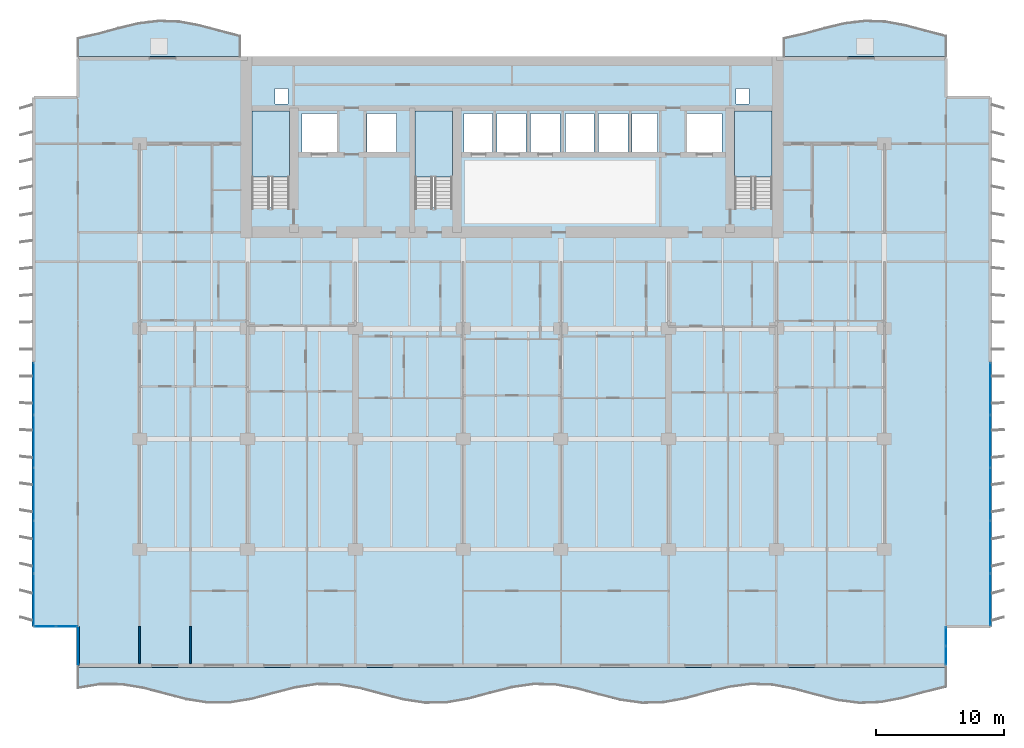
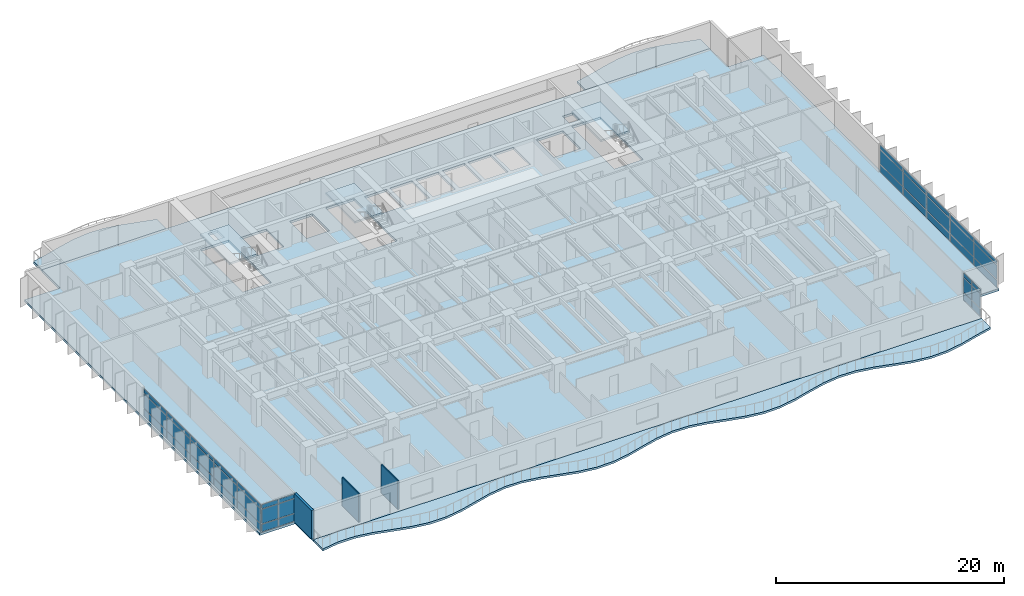
# One storey, part 5 of 17: 42 plates, 7 slabs, 3 walls, 7 elements without a shape of their own.
"""IFC4 building model written with IfcOpenShell, lengths in metres."""

from ifc_helpers import new_model, si_unit, direction, frame, frame_2d, origin, origin_2d, place, context, subcontext, project, spatial, polyline, rectangle, outline, extrude, material, layer, layer_set, type_object, element, aggregate, save


model = new_model("IFC4")

# Units and contexts
model_context = context("Model", 3, precision=1e-05, world=origin(), true_north=direction((0.0, 1.0)))
body_context = subcontext(model_context, "Body", "Model", "MODEL_VIEW")
ifc_project = project(units=[si_unit("LENGTHUNIT", "METRE"), si_unit("AREAUNIT", "SQUARE_METRE"), si_unit("VOLUMEUNIT", "CUBIC_METRE"), si_unit("PLANEANGLEUNIT", "RADIAN"), si_unit("MASSUNIT", "GRAM", prefix="KILO")], contexts=[model_context])

# Site, building, storey
site_placement = place(None, origin())
site = spatial("IfcSite", under=ifc_project, at=site_placement, CompositionType="ELEMENT")
building_placement = place(site_placement, origin())
building = spatial("IfcBuilding", under=site, at=building_placement, Name="Caelmar Bay Residences", CompositionType="ELEMENT")
storey_placement = place(building_placement, frame((0.0, 0.0, 49.800048828125)))
storey = spatial("IfcBuildingStorey", under=building, at=storey_placement, Name="L12", CompositionType="ELEMENT", Elevation=49.800048828125)

# Curtain wall, plates
ifc_material_1 = material(Name="Anodised bronze aluminium 6063-T6 and laminated glass", Category="aluminium")
ifc_layer_1 = layer(ifc_material_1, 0.179931640625)
ifc_layer_set_1 = layer_set([ifc_layer_1], Name="Anodised bronze aluminium 6063-T6 and laminated glass")
curtain_wall_type_1 = type_object("IfcCurtainWallType", Name="CW6-NTC", PredefinedType="NOTDEFINED", material=ifc_layer_set_1)
curtain_wall_1_placement = place(storey_placement, origin())
curtain_wall_1 = element("IfcCurtainWall", 1, at=curtain_wall_1_placement, inside=storey, type_object=curtain_wall_type_1, Name="CW6 curtain wall L12", PredefinedType="NOTDEFINED")
ifc_material_2 = material(Name="Bronze-tinted laminated low-E hurricane glass 28 mm", Category="glass")
ifc_layer_2 = layer(ifc_material_2, 0.028076171875)
ifc_layer_set_2 = layer_set([ifc_layer_2], Name="Bronze-tinted laminated low-E hurricane glass 28 mm")
plate_type = type_object("IfcPlateType", Name="CWP-GLZ28", PredefinedType="CURTAIN_PANEL", material=ifc_layer_set_2)
plate_1_placement = place(storey_placement, frame((2.532470703125, 6.199951171875, 0.080078125), z_axis=(0.0, 0.0, 1.0), x_axis=(1.0, 0.0, 0.0)))
plate_1 = element("IfcPlate", 2, at=plate_1_placement, type_object=plate_type, Name="CW6 panel 1.1", PredefinedType="CURTAIN_PANEL", context=body_context, shape_type="SweptSolid", body=[
    extrude(rectangle(XDim=1.60498046875, YDim=0.028076171875, at=origin_2d()), origin(), (0.0, 0.0, 1.0), 0.780029296875),
])
plate_2_placement = place(storey_placement, frame((2.532470703125, 6.199951171875, 0.93994140625), z_axis=(0.0, 0.0, 1.0), x_axis=(1.0, 0.0, 0.0)))
plate_2 = element("IfcPlate", 3, at=plate_2_placement, type_object=plate_type, Name="CW6 panel 1.2", PredefinedType="CURTAIN_PANEL", context=body_context, shape_type="SweptSolid", body=[
    extrude(rectangle(XDim=1.60498046875, YDim=0.028076171875, at=origin_2d()), origin(), (0.0, 0.0, 1.0), 1.52001953125),
])
plate_3_placement = place(storey_placement, frame((2.532470703125, 6.199951171875, 2.5400390625), z_axis=(0.0, 0.0, 1.0), x_axis=(1.0, 0.0, 0.0)))
plate_3 = element("IfcPlate", 4, at=plate_3_placement, type_object=plate_type, Name="CW6 panel 1.3", PredefinedType="CURTAIN_PANEL", context=body_context, shape_type="SweptSolid", body=[
    extrude(rectangle(XDim=1.60498046875, YDim=0.028076171875, at=origin_2d()), origin(), (0.0, 0.0, 1.0), 0.429931640625),
])
plate_4_placement = place(storey_placement, frame((4.217529296875, 6.199951171875, 0.080078125), z_axis=(0.0, 0.0, 1.0), x_axis=(1.0, 0.0, 0.0)))
plate_4 = element("IfcPlate", 5, at=plate_4_placement, type_object=plate_type, Name="CW6 panel 2.1", PredefinedType="CURTAIN_PANEL", context=body_context, shape_type="SweptSolid", body=[
    extrude(rectangle(XDim=1.60498046875, YDim=0.028076171875, at=origin_2d()), origin(), (0.0, 0.0, 1.0), 0.780029296875),
])
plate_5_placement = place(storey_placement, frame((4.217529296875, 6.199951171875, 0.93994140625), z_axis=(0.0, 0.0, 1.0), x_axis=(1.0, 0.0, 0.0)))
plate_5 = element("IfcPlate", 6, at=plate_5_placement, type_object=plate_type, Name="CW6 panel 2.2", PredefinedType="CURTAIN_PANEL", context=body_context, shape_type="SweptSolid", body=[
    extrude(rectangle(XDim=1.60498046875, YDim=0.028076171875, at=origin_2d()), origin(), (0.0, 0.0, 1.0), 1.52001953125),
])
plate_6_placement = place(storey_placement, frame((4.217529296875, 6.199951171875, 2.5400390625), z_axis=(0.0, 0.0, 1.0), x_axis=(1.0, 0.0, 0.0)))
plate_6 = element("IfcPlate", 7, at=plate_6_placement, type_object=plate_type, Name="CW6 panel 2.3", PredefinedType="CURTAIN_PANEL", context=body_context, shape_type="SweptSolid", body=[
    extrude(rectangle(XDim=1.60498046875, YDim=0.028076171875, at=origin_2d()), origin(), (0.0, 0.0, 1.0), 0.429931640625),
])
aggregate(curtain_wall_1, [plate_1, plate_2, plate_3, plate_4, plate_5, plate_6])

curtain_wall_2_placement = place(storey_placement, origin())
curtain_wall_2 = element("IfcCurtainWall", 8, at=curtain_wall_2_placement, inside=storey, type_object=curtain_wall_type_1, Name="CW6 curtain wall L12", PredefinedType="NOTDEFINED")
plate_7_placement = place(storey_placement, frame((72.699951171875, 3.9326171875, 0.080078125), z_axis=(0.0, 0.0, 1.0), x_axis=(0.0, 1.0, 0.0)))
plate_7 = element("IfcPlate", 9, at=plate_7_placement, type_object=plate_type, Name="CW6 panel 1.1", PredefinedType="CURTAIN_PANEL", context=body_context, shape_type="SweptSolid", body=[
    extrude(rectangle(XDim=1.405029296875, YDim=0.028076171875, at=origin_2d()), origin(), (0.0, 0.0, 1.0), 0.780029296875),
])
plate_8_placement = place(storey_placement, frame((72.699951171875, 3.9326171875, 0.93994140625), z_axis=(0.0, 0.0, 1.0), x_axis=(0.0, 1.0, 0.0)))
plate_8 = element("IfcPlate", 10, at=plate_8_placement, type_object=plate_type, Name="CW6 panel 1.2", PredefinedType="CURTAIN_PANEL", context=body_context, shape_type="SweptSolid", body=[
    extrude(rectangle(XDim=1.405029296875, YDim=0.028076171875, at=origin_2d()), origin(), (0.0, 0.0, 1.0), 1.52001953125),
])
plate_9_placement = place(storey_placement, frame((72.699951171875, 3.9326171875, 2.5400390625), z_axis=(0.0, 0.0, 1.0), x_axis=(0.0, 1.0, 0.0)))
plate_9 = element("IfcPlate", 11, at=plate_9_placement, type_object=plate_type, Name="CW6 panel 1.3", PredefinedType="CURTAIN_PANEL", context=body_context, shape_type="SweptSolid", body=[
    extrude(rectangle(XDim=1.405029296875, YDim=0.028076171875, at=origin_2d()), origin(), (0.0, 0.0, 1.0), 0.429931640625),
])
plate_10_placement = place(storey_placement, frame((72.699951171875, 5.41748046875, 0.080078125), z_axis=(0.0, 0.0, 1.0), x_axis=(0.0, 1.0, 0.0)))
plate_10 = element("IfcPlate", 12, at=plate_10_placement, type_object=plate_type, Name="CW6 panel 2.1", PredefinedType="CURTAIN_PANEL", context=body_context, shape_type="SweptSolid", body=[
    extrude(rectangle(XDim=1.405029296875, YDim=0.028076171875, at=origin_2d()), origin(), (0.0, 0.0, 1.0), 0.780029296875),
])
plate_11_placement = place(storey_placement, frame((72.699951171875, 5.41748046875, 0.93994140625), z_axis=(0.0, 0.0, 1.0), x_axis=(0.0, 1.0, 0.0)))
plate_11 = element("IfcPlate", 13, at=plate_11_placement, type_object=plate_type, Name="CW6 panel 2.2", PredefinedType="CURTAIN_PANEL", context=body_context, shape_type="SweptSolid", body=[
    extrude(rectangle(XDim=1.405029296875, YDim=0.028076171875, at=origin_2d()), origin(), (0.0, 0.0, 1.0), 1.52001953125),
])
plate_12_placement = place(storey_placement, frame((72.699951171875, 5.41748046875, 2.5400390625), z_axis=(0.0, 0.0, 1.0), x_axis=(0.0, 1.0, 0.0)))
plate_12 = element("IfcPlate", 14, at=plate_12_placement, type_object=plate_type, Name="CW6 panel 2.3", PredefinedType="CURTAIN_PANEL", context=body_context, shape_type="SweptSolid", body=[
    extrude(rectangle(XDim=1.405029296875, YDim=0.028076171875, at=origin_2d()), origin(), (0.0, 0.0, 1.0), 0.429931640625),
])
aggregate(curtain_wall_2, [plate_7, plate_8, plate_9, plate_10, plate_11, plate_12])

ifc_layer_3 = layer(ifc_material_1, 0.179931640625)
ifc_layer_set_3 = layer_set([ifc_layer_3], Name="Anodised bronze aluminium 6063-T6 and laminated glass")
curtain_wall_type_2 = type_object("IfcCurtainWallType", Name="CW2-Z1", PredefinedType="NOTDEFINED", material=ifc_layer_set_3)
curtain_wall_3_placement = place(storey_placement, origin())
curtain_wall_3 = element("IfcCurtainWall", 15, at=curtain_wall_3_placement, inside=storey, type_object=curtain_wall_type_2, Name="CW2 curtain wall L12", PredefinedType="NOTDEFINED")
plate_13_placement = place(storey_placement, frame((1.64990234375, 8.280029296875, 0.080078125), z_axis=(0.0, 0.0, 1.0), x_axis=(0.0, 1.0, 0.0)))
plate_13 = element("IfcPlate", 16, at=plate_13_placement, type_object=plate_type, Name="CW2 panel 1.1", PredefinedType="CURTAIN_PANEL", context=body_context, shape_type="SweptSolid", body=[
    extrude(rectangle(XDim=4.0, YDim=0.028076171875, at=origin_2d()), origin(), (0.0, 0.0, 1.0), 0.780029296875),
])
plate_14_placement = place(storey_placement, frame((1.64990234375, 8.280029296875, 0.93994140625), z_axis=(0.0, 0.0, 1.0), x_axis=(0.0, 1.0, 0.0)))
plate_14 = element("IfcPlate", 17, at=plate_14_placement, type_object=plate_type, Name="CW2 panel 1.2", PredefinedType="CURTAIN_PANEL", context=body_context, shape_type="SweptSolid", body=[
    extrude(rectangle(XDim=4.0, YDim=0.028076171875, at=origin_2d()), origin(), (0.0, 0.0, 1.0), 1.52001953125),
])
plate_15_placement = place(storey_placement, frame((1.64990234375, 8.280029296875, 2.5400390625), z_axis=(0.0, 0.0, 1.0), x_axis=(0.0, 1.0, 0.0)))
plate_15 = element("IfcPlate", 18, at=plate_15_placement, type_object=plate_type, Name="CW2 panel 1.3", PredefinedType="CURTAIN_PANEL", context=body_context, shape_type="SweptSolid", body=[
    extrude(rectangle(XDim=4.0, YDim=0.028076171875, at=origin_2d()), origin(), (0.0, 0.0, 1.0), 0.429931640625),
])
plate_16_placement = place(storey_placement, frame((1.64990234375, 12.3798828125, 0.080078125), z_axis=(0.0, 0.0, 1.0), x_axis=(0.0, 1.0, 0.0)))
plate_16 = element("IfcPlate", 19, at=plate_16_placement, type_object=plate_type, Name="CW2 panel 2.1", PredefinedType="CURTAIN_PANEL", context=body_context, shape_type="SweptSolid", body=[
    extrude(rectangle(XDim=4.0400390625, YDim=0.028076171875, at=origin_2d()), origin(), (0.0, 0.0, 1.0), 0.780029296875),
])
plate_17_placement = place(storey_placement, frame((1.64990234375, 12.3798828125, 0.93994140625), z_axis=(0.0, 0.0, 1.0), x_axis=(0.0, 1.0, 0.0)))
plate_17 = element("IfcPlate", 20, at=plate_17_placement, type_object=plate_type, Name="CW2 panel 2.2", PredefinedType="CURTAIN_PANEL", context=body_context, shape_type="SweptSolid", body=[
    extrude(rectangle(XDim=4.0400390625, YDim=0.028076171875, at=origin_2d()), origin(), (0.0, 0.0, 1.0), 1.52001953125),
])
plate_18_placement = place(storey_placement, frame((1.64990234375, 12.3798828125, 2.5400390625), z_axis=(0.0, 0.0, 1.0), x_axis=(0.0, 1.0, 0.0)))
plate_18 = element("IfcPlate", 21, at=plate_18_placement, type_object=plate_type, Name="CW2 panel 2.3", PredefinedType="CURTAIN_PANEL", context=body_context, shape_type="SweptSolid", body=[
    extrude(rectangle(XDim=4.0400390625, YDim=0.028076171875, at=origin_2d()), origin(), (0.0, 0.0, 1.0), 0.429931640625),
])
plate_19_placement = place(storey_placement, frame((1.64990234375, 16.5, 0.080078125), z_axis=(0.0, 0.0, 1.0), x_axis=(0.0, 1.0, 0.0)))
plate_19 = element("IfcPlate", 22, at=plate_19_placement, type_object=plate_type, Name="CW2 panel 3.1", PredefinedType="CURTAIN_PANEL", context=body_context, shape_type="SweptSolid", body=[
    extrude(rectangle(XDim=4.0400390625, YDim=0.028076171875, at=origin_2d()), origin(), (0.0, 0.0, 1.0), 0.780029296875),
])
plate_20_placement = place(storey_placement, frame((1.64990234375, 16.5, 0.93994140625), z_axis=(0.0, 0.0, 1.0), x_axis=(0.0, 1.0, 0.0)))
plate_20 = element("IfcPlate", 23, at=plate_20_placement, type_object=plate_type, Name="CW2 panel 3.2", PredefinedType="CURTAIN_PANEL", context=body_context, shape_type="SweptSolid", body=[
    extrude(rectangle(XDim=4.0400390625, YDim=0.028076171875, at=origin_2d()), origin(), (0.0, 0.0, 1.0), 1.52001953125),
])
plate_21_placement = place(storey_placement, frame((1.64990234375, 16.5, 2.5400390625), z_axis=(0.0, 0.0, 1.0), x_axis=(0.0, 1.0, 0.0)))
plate_21 = element("IfcPlate", 24, at=plate_21_placement, type_object=plate_type, Name="CW2 panel 3.3", PredefinedType="CURTAIN_PANEL", context=body_context, shape_type="SweptSolid", body=[
    extrude(rectangle(XDim=4.0400390625, YDim=0.028076171875, at=origin_2d()), origin(), (0.0, 0.0, 1.0), 0.429931640625),
])
plate_22_placement = place(storey_placement, frame((1.64990234375, 20.6201171875, 0.080078125), z_axis=(0.0, 0.0, 1.0), x_axis=(0.0, 1.0, 0.0)))
plate_22 = element("IfcPlate", 25, at=plate_22_placement, type_object=plate_type, Name="CW2 panel 4.1", PredefinedType="CURTAIN_PANEL", context=body_context, shape_type="SweptSolid", body=[
    extrude(rectangle(XDim=4.0400390625, YDim=0.028076171875, at=origin_2d()), origin(), (0.0, 0.0, 1.0), 0.780029296875),
])
plate_23_placement = place(storey_placement, frame((1.64990234375, 20.6201171875, 0.93994140625), z_axis=(0.0, 0.0, 1.0), x_axis=(0.0, 1.0, 0.0)))
plate_23 = element("IfcPlate", 26, at=plate_23_placement, type_object=plate_type, Name="CW2 panel 4.2", PredefinedType="CURTAIN_PANEL", context=body_context, shape_type="SweptSolid", body=[
    extrude(rectangle(XDim=4.0400390625, YDim=0.028076171875, at=origin_2d()), origin(), (0.0, 0.0, 1.0), 1.52001953125),
])
plate_24_placement = place(storey_placement, frame((1.64990234375, 20.6201171875, 2.5400390625), z_axis=(0.0, 0.0, 1.0), x_axis=(0.0, 1.0, 0.0)))
plate_24 = element("IfcPlate", 27, at=plate_24_placement, type_object=plate_type, Name="CW2 panel 4.3", PredefinedType="CURTAIN_PANEL", context=body_context, shape_type="SweptSolid", body=[
    extrude(rectangle(XDim=4.0400390625, YDim=0.028076171875, at=origin_2d()), origin(), (0.0, 0.0, 1.0), 0.429931640625),
])
plate_25_placement = place(storey_placement, frame((1.64990234375, 24.719970703125, 0.080078125), z_axis=(0.0, 0.0, 1.0), x_axis=(0.0, 1.0, 0.0)))
plate_25 = element("IfcPlate", 28, at=plate_25_placement, type_object=plate_type, Name="CW2 panel 5.1", PredefinedType="CURTAIN_PANEL", context=body_context, shape_type="SweptSolid", body=[
    extrude(rectangle(XDim=4.0, YDim=0.028076171875, at=origin_2d()), origin(), (0.0, 0.0, 1.0), 0.780029296875),
])
plate_26_placement = place(storey_placement, frame((1.64990234375, 24.719970703125, 0.93994140625), z_axis=(0.0, 0.0, 1.0), x_axis=(0.0, 1.0, 0.0)))
plate_26 = element("IfcPlate", 29, at=plate_26_placement, type_object=plate_type, Name="CW2 panel 5.2", PredefinedType="CURTAIN_PANEL", context=body_context, shape_type="SweptSolid", body=[
    extrude(rectangle(XDim=4.0, YDim=0.028076171875, at=origin_2d()), origin(), (0.0, 0.0, 1.0), 1.52001953125),
])
plate_27_placement = place(storey_placement, frame((1.64990234375, 24.719970703125, 2.5400390625), z_axis=(0.0, 0.0, 1.0), x_axis=(0.0, 1.0, 0.0)))
plate_27 = element("IfcPlate", 30, at=plate_27_placement, type_object=plate_type, Name="CW2 panel 5.3", PredefinedType="CURTAIN_PANEL", context=body_context, shape_type="SweptSolid", body=[
    extrude(rectangle(XDim=4.0, YDim=0.028076171875, at=origin_2d()), origin(), (0.0, 0.0, 1.0), 0.429931640625),
])
aggregate(curtain_wall_3, [plate_13, plate_14, plate_15, plate_16, plate_17, plate_18, plate_19, plate_20, plate_21, plate_22, plate_23, plate_24, plate_25, plate_26, plate_27])

curtain_wall_4_placement = place(storey_placement, origin())
curtain_wall_4 = element("IfcCurtainWall", 31, at=curtain_wall_4_placement, inside=storey, type_object=curtain_wall_type_2, Name="CW2 curtain wall L12", PredefinedType="NOTDEFINED")
plate_28_placement = place(storey_placement, frame((76.14990234375, 24.719970703125, 0.080078125), z_axis=(0.0, 0.0, 1.0), x_axis=(0.0, -1.0, 0.0)))
plate_28 = element("IfcPlate", 32, at=plate_28_placement, type_object=plate_type, Name="CW2 panel 1.1", PredefinedType="CURTAIN_PANEL", context=body_context, shape_type="SweptSolid", body=[
    extrude(rectangle(XDim=4.0, YDim=0.028076171875, at=origin_2d()), origin(), (0.0, 0.0, 1.0), 0.780029296875),
])
plate_29_placement = place(storey_placement, frame((76.14990234375, 24.719970703125, 0.93994140625), z_axis=(0.0, 0.0, 1.0), x_axis=(0.0, -1.0, 0.0)))
plate_29 = element("IfcPlate", 33, at=plate_29_placement, type_object=plate_type, Name="CW2 panel 1.2", PredefinedType="CURTAIN_PANEL", context=body_context, shape_type="SweptSolid", body=[
    extrude(rectangle(XDim=4.0, YDim=0.028076171875, at=origin_2d()), origin(), (0.0, 0.0, 1.0), 1.52001953125),
])
plate_30_placement = place(storey_placement, frame((76.14990234375, 24.719970703125, 2.5400390625), z_axis=(0.0, 0.0, 1.0), x_axis=(0.0, -1.0, 0.0)))
plate_30 = element("IfcPlate", 34, at=plate_30_placement, type_object=plate_type, Name="CW2 panel 1.3", PredefinedType="CURTAIN_PANEL", context=body_context, shape_type="SweptSolid", body=[
    extrude(rectangle(XDim=4.0, YDim=0.028076171875, at=origin_2d()), origin(), (0.0, 0.0, 1.0), 0.429931640625),
])
plate_31_placement = place(storey_placement, frame((76.14990234375, 20.6201171875, 0.080078125), z_axis=(0.0, 0.0, 1.0), x_axis=(0.0, -1.0, 0.0)))
plate_31 = element("IfcPlate", 35, at=plate_31_placement, type_object=plate_type, Name="CW2 panel 2.1", PredefinedType="CURTAIN_PANEL", context=body_context, shape_type="SweptSolid", body=[
    extrude(rectangle(XDim=4.0400390625, YDim=0.028076171875, at=origin_2d()), origin(), (0.0, 0.0, 1.0), 0.780029296875),
])
plate_32_placement = place(storey_placement, frame((76.14990234375, 20.6201171875, 0.93994140625), z_axis=(0.0, 0.0, 1.0), x_axis=(0.0, -1.0, 0.0)))
plate_32 = element("IfcPlate", 36, at=plate_32_placement, type_object=plate_type, Name="CW2 panel 2.2", PredefinedType="CURTAIN_PANEL", context=body_context, shape_type="SweptSolid", body=[
    extrude(rectangle(XDim=4.0400390625, YDim=0.028076171875, at=origin_2d()), origin(), (0.0, 0.0, 1.0), 1.52001953125),
])
plate_33_placement = place(storey_placement, frame((76.14990234375, 20.6201171875, 2.5400390625), z_axis=(0.0, 0.0, 1.0), x_axis=(0.0, -1.0, 0.0)))
plate_33 = element("IfcPlate", 37, at=plate_33_placement, type_object=plate_type, Name="CW2 panel 2.3", PredefinedType="CURTAIN_PANEL", context=body_context, shape_type="SweptSolid", body=[
    extrude(rectangle(XDim=4.0400390625, YDim=0.028076171875, at=origin_2d()), origin(), (0.0, 0.0, 1.0), 0.429931640625),
])
plate_34_placement = place(storey_placement, frame((76.14990234375, 16.5, 0.080078125), z_axis=(0.0, 0.0, 1.0), x_axis=(0.0, -1.0, 0.0)))
plate_34 = element("IfcPlate", 38, at=plate_34_placement, type_object=plate_type, Name="CW2 panel 3.1", PredefinedType="CURTAIN_PANEL", context=body_context, shape_type="SweptSolid", body=[
    extrude(rectangle(XDim=4.0400390625, YDim=0.028076171875, at=origin_2d()), origin(), (0.0, 0.0, 1.0), 0.780029296875),
])
plate_35_placement = place(storey_placement, frame((76.14990234375, 16.5, 0.93994140625), z_axis=(0.0, 0.0, 1.0), x_axis=(0.0, -1.0, 0.0)))
plate_35 = element("IfcPlate", 39, at=plate_35_placement, type_object=plate_type, Name="CW2 panel 3.2", PredefinedType="CURTAIN_PANEL", context=body_context, shape_type="SweptSolid", body=[
    extrude(rectangle(XDim=4.0400390625, YDim=0.028076171875, at=origin_2d()), origin(), (0.0, 0.0, 1.0), 1.52001953125),
])
plate_36_placement = place(storey_placement, frame((76.14990234375, 16.5, 2.5400390625), z_axis=(0.0, 0.0, 1.0), x_axis=(0.0, -1.0, 0.0)))
plate_36 = element("IfcPlate", 40, at=plate_36_placement, type_object=plate_type, Name="CW2 panel 3.3", PredefinedType="CURTAIN_PANEL", context=body_context, shape_type="SweptSolid", body=[
    extrude(rectangle(XDim=4.0400390625, YDim=0.028076171875, at=origin_2d()), origin(), (0.0, 0.0, 1.0), 0.429931640625),
])
plate_37_placement = place(storey_placement, frame((76.14990234375, 12.3798828125, 0.080078125), z_axis=(0.0, 0.0, 1.0), x_axis=(0.0, -1.0, 0.0)))
plate_37 = element("IfcPlate", 41, at=plate_37_placement, type_object=plate_type, Name="CW2 panel 4.1", PredefinedType="CURTAIN_PANEL", context=body_context, shape_type="SweptSolid", body=[
    extrude(rectangle(XDim=4.0400390625, YDim=0.028076171875, at=origin_2d()), origin(), (0.0, 0.0, 1.0), 0.780029296875),
])
plate_38_placement = place(storey_placement, frame((76.14990234375, 12.3798828125, 0.93994140625), z_axis=(0.0, 0.0, 1.0), x_axis=(0.0, -1.0, 0.0)))
plate_38 = element("IfcPlate", 42, at=plate_38_placement, type_object=plate_type, Name="CW2 panel 4.2", PredefinedType="CURTAIN_PANEL", context=body_context, shape_type="SweptSolid", body=[
    extrude(rectangle(XDim=4.0400390625, YDim=0.028076171875, at=origin_2d()), origin(), (0.0, 0.0, 1.0), 1.52001953125),
])
plate_39_placement = place(storey_placement, frame((76.14990234375, 12.3798828125, 2.5400390625), z_axis=(0.0, 0.0, 1.0), x_axis=(0.0, -1.0, 0.0)))
plate_39 = element("IfcPlate", 43, at=plate_39_placement, type_object=plate_type, Name="CW2 panel 4.3", PredefinedType="CURTAIN_PANEL", context=body_context, shape_type="SweptSolid", body=[
    extrude(rectangle(XDim=4.0400390625, YDim=0.028076171875, at=origin_2d()), origin(), (0.0, 0.0, 1.0), 0.429931640625),
])
plate_40_placement = place(storey_placement, frame((76.14990234375, 8.280029296875, 0.080078125), z_axis=(0.0, 0.0, 1.0), x_axis=(0.0, -1.0, 0.0)))
plate_40 = element("IfcPlate", 44, at=plate_40_placement, type_object=plate_type, Name="CW2 panel 5.1", PredefinedType="CURTAIN_PANEL", context=body_context, shape_type="SweptSolid", body=[
    extrude(rectangle(XDim=4.0, YDim=0.028076171875, at=origin_2d()), origin(), (0.0, 0.0, 1.0), 0.780029296875),
])
plate_41_placement = place(storey_placement, frame((76.14990234375, 8.280029296875, 0.93994140625), z_axis=(0.0, 0.0, 1.0), x_axis=(0.0, -1.0, 0.0)))
plate_41 = element("IfcPlate", 45, at=plate_41_placement, type_object=plate_type, Name="CW2 panel 5.2", PredefinedType="CURTAIN_PANEL", context=body_context, shape_type="SweptSolid", body=[
    extrude(rectangle(XDim=4.0, YDim=0.028076171875, at=origin_2d()), origin(), (0.0, 0.0, 1.0), 1.52001953125),
])
plate_42_placement = place(storey_placement, frame((76.14990234375, 8.280029296875, 2.5400390625), z_axis=(0.0, 0.0, 1.0), x_axis=(0.0, -1.0, 0.0)))
plate_42 = element("IfcPlate", 46, at=plate_42_placement, type_object=plate_type, Name="CW2 panel 5.3", PredefinedType="CURTAIN_PANEL", context=body_context, shape_type="SweptSolid", body=[
    extrude(rectangle(XDim=4.0, YDim=0.028076171875, at=origin_2d()), origin(), (0.0, 0.0, 1.0), 0.429931640625),
])
aggregate(curtain_wall_4, [plate_28, plate_29, plate_30, plate_31, plate_32, plate_33, plate_34, plate_35, plate_36, plate_37, plate_38, plate_39, plate_40, plate_41, plate_42])

# Slabs
ifc_material_3 = material(Name="Concrete f'c 40 MPa (6,000 psi)", Category="concrete")
ifc_layer_4 = layer(ifc_material_3, 0.219970703125)
ifc_layer_set_4 = layer_set([ifc_layer_4], Name="Concrete f'c 40 MPa (6,000 psi)")
slab_type_1 = type_object("IfcSlabType", Name="SLB-BAL-220", PredefinedType="FLOOR", material=ifc_layer_set_4)
slab_1_placement = place(storey_placement, frame((0.0, 0.0, -0.219970703125)))
element("IfcSlab", 47, at=slab_1_placement, inside=storey, type_object=slab_type_1, Name="L12 Sinusoidal Tree-Balcony Slab south", PredefinedType="FLOOR", context=body_context, shape_type="SweptSolid", body=[
    extrude(outline(polyline([(5.10009765625, 1.3408203125), (6.7900390625, 1.6142578125), (8.47998046875, 1.611572265625), (10.169921875, 1.333984375), (11.860107421875, 0.888916015625), (13.550048828125, 0.447998046875), (15.239990234375, 0.181640625), (16.929931640625, 0.193115234375), (18.6201171875, 0.4775390625), (20.31005859375, 0.92529296875), (22.0, 1.36328125), (23.68994140625, 1.622314453125), (25.3798828125, 1.602294921875), (27.070068359375, 1.310791015625), (28.760009765625, 0.860595703125), (30.449951171875, 0.42578125), (32.139892578125, 0.174072265625), (33.830078125, 0.202880859375), (35.52001953125, 0.5009765625), (37.2099609375, 0.953369140625), (38.89990234375, 1.385009765625), (40.590087890625, 1.62939453125), (42.280029296875, 1.591796875), (43.969970703125, 1.287109375), (45.659912109375, 0.832763671875), (47.35009765625, 0.404296875), (49.0400390625, 0.16748046875), (50.72998046875, 0.213623046875), (52.419921875, 0.52490234375), (54.110107421875, 0.981201171875), (55.800048828125, 1.406005859375), (57.489990234375, 1.63525390625), (59.179931640625, 1.58056640625), (60.8701171875, 1.2626953125), (62.56005859375, 0.804931640625), (64.25, 0.3837890625), (65.93994140625, 0.162109375), (67.6298828125, 0.2255859375), (69.320068359375, 0.549560546875), (71.010009765625, 1.009033203125), (72.699951171875, 1.42626953125), (72.699951171875, 3.0), (5.10009765625, 3.0), (5.10009765625, 1.3408203125)])), origin(), (0.0, 0.0, 1.0), 0.219970703125),
])
slab_2_placement = place(storey_placement, frame((0.0, 0.0, -0.219970703125)))
element("IfcSlab", 48, at=slab_2_placement, inside=storey, type_object=slab_type_1, Name="L12 Sinusoidal Tree-Balcony Slab north_west", PredefinedType="FLOOR", context=body_context, shape_type="SweptSolid", body=[
    extrude(outline(polyline([(5.10009765625, 50.60009765625), (17.699951171875, 50.60009765625), (17.699951171875, 52.25927734375), (16.125, 52.670654296875), (14.550048828125, 53.091796875), (12.97509765625, 53.381103515625), (11.39990234375, 53.44091796875), (9.824951171875, 53.250732421875), (8.25, 52.875), (6.675048828125, 52.4404296875), (5.10009765625, 52.09326171875), (5.10009765625, 50.60009765625)])), origin(), (0.0, 0.0, 1.0), 0.219970703125),
])
slab_3_placement = place(storey_placement, frame((0.0, 0.0, -0.219970703125)))
element("IfcSlab", 49, at=slab_3_placement, inside=storey, type_object=slab_type_1, Name="L12 Sinusoidal Tree-Balcony Slab north_east", PredefinedType="FLOOR", context=body_context, shape_type="SweptSolid", body=[
    extrude(outline(polyline([(60.10009765625, 50.60009765625), (72.699951171875, 50.60009765625), (72.699951171875, 52.25927734375), (71.125, 52.670654296875), (69.550048828125, 53.091796875), (67.97509765625, 53.381103515625), (66.39990234375, 53.44091796875), (64.824951171875, 53.250732421875), (63.25, 52.875), (61.675048828125, 52.4404296875), (60.10009765625, 52.09326171875), (60.10009765625, 50.60009765625)])), origin(), (0.0, 0.0, 1.0), 0.219970703125),
])

# Stair, slab
stair_type = type_object("IfcStairType", Name="ST-TYP-165", PredefinedType="HALF_TURN_STAIR", material=ifc_material_3)
stair_1_placement = place(storey_placement, origin())
stair_1 = element("IfcStair", 50, at=stair_1_placement, inside=storey, type_object=stair_type, Name="L12 West Smokeproof Exit Stair ST1", PredefinedType="HALF_TURN_STAIR")
ifc_layer_5 = layer(ifc_material_3, 0.199951171875)
ifc_layer_set_5 = layer_set([ifc_layer_5], Name="Concrete f'c 40 MPa (6,000 psi)")
slab_type_2 = type_object("IfcSlabType", Name="SLB-LND-200", PredefinedType="LANDING", material=ifc_layer_set_5)
slab_4_placement = place(storey_placement, frame((0.0, 0.0, 1.449951171875)))
slab_4 = element("IfcSlab", 51, at=slab_4_placement, type_object=slab_type_2, Name="ST1 landing 1", PredefinedType="LANDING", context=body_context, shape_type="SweptSolid", body=[
    extrude(outline(polyline([(21.550048828125, 41.219970703125), (21.550048828125, 46.35009765625), (18.64990234375, 46.35009765625), (18.64990234375, 41.219970703125), (21.550048828125, 41.219970703125)])), origin(), (0.0, 0.0, 1.0), 0.199951171875),
])
aggregate(stair_1, [slab_4])

stair_2_placement = place(storey_placement, origin())
stair_2 = element("IfcStair", 52, at=stair_2_placement, inside=storey, type_object=stair_type, Name="L12 East Smokeproof Exit Stair ST2", PredefinedType="HALF_TURN_STAIR")
slab_5_placement = place(storey_placement, frame((0.0, 0.0, 1.449951171875)))
slab_5 = element("IfcSlab", 53, at=slab_5_placement, type_object=slab_type_2, Name="ST2 landing 1", PredefinedType="LANDING", context=body_context, shape_type="SweptSolid", body=[
    extrude(outline(polyline([(59.14990234375, 41.219970703125), (59.14990234375, 46.35009765625), (56.25, 46.35009765625), (56.25, 41.219970703125), (59.14990234375, 41.219970703125)])), origin(), (0.0, 0.0, 1.0), 0.199951171875),
])
aggregate(stair_2, [slab_5])

stair_3_placement = place(storey_placement, origin())
stair_3 = element("IfcStair", 54, at=stair_3_placement, inside=storey, type_object=stair_type, Name="L12 Central Smokeproof Exit Stair ST3", PredefinedType="HALF_TURN_STAIR")
slab_6_placement = place(storey_placement, frame((0.0, 0.0, 1.449951171875)))
slab_6 = element("IfcSlab", 55, at=slab_6_placement, type_object=slab_type_2, Name="ST3 landing 1", PredefinedType="LANDING", context=body_context, shape_type="SweptSolid", body=[
    extrude(outline(polyline([(34.25, 41.219970703125), (34.25, 46.35009765625), (31.35009765625, 46.35009765625), (31.35009765625, 41.219970703125), (34.25, 41.219970703125)])), origin(), (0.0, 0.0, 1.0), 0.199951171875),
])
aggregate(stair_3, [slab_6])

# Slab
ifc_layer_6 = layer(ifc_material_3, 0.25)
ifc_layer_set_6 = layer_set([ifc_layer_6], Name="Concrete f'c 40 MPa (6,000 psi)")
slab_type_3 = type_object("IfcSlabType", Name="SLB-RES-250", PredefinedType="FLOOR", material=ifc_layer_set_6)
slab_7_placement = place(storey_placement, frame((0.0, 0.0, -0.25)))
element("IfcSlab", 56, at=slab_7_placement, inside=storey, type_object=slab_type_3, Name="L12 Structural Floor Slab", PredefinedType="FLOOR", context=body_context, shape_type="SweptSolid", body=[
    extrude(outline(polyline([(5.10009765625, 3.0), (72.699951171875, 3.0), (72.699951171875, 6.199951171875), (76.300048828125, 6.199951171875), (76.300048828125, 47.39990234375), (72.699951171875, 47.39990234375), (72.699951171875, 50.60009765625), (5.10009765625, 50.60009765625), (5.10009765625, 47.39990234375), (1.5, 47.39990234375), (1.5, 6.199951171875), (5.10009765625, 6.199951171875), (5.10009765625, 3.0)]), holes=[polyline([(18.64990234375, 38.85009765625), (21.550048828125, 38.85009765625), (21.550048828125, 46.35009765625), (18.64990234375, 46.35009765625), (18.64990234375, 38.85009765625)]), polyline([(56.25, 38.85009765625), (59.14990234375, 38.85009765625), (59.14990234375, 46.35009765625), (56.25, 46.35009765625), (56.25, 38.85009765625)]), polyline([(31.35009765625, 38.85009765625), (34.25, 38.85009765625), (34.25, 46.35009765625), (31.35009765625, 46.35009765625), (31.35009765625, 38.85009765625)]), polyline([(22.550048828125, 43.050048828125), (25.25, 43.050048828125), (25.25, 46.14990234375), (22.550048828125, 46.14990234375), (22.550048828125, 43.050048828125)]), polyline([(52.550048828125, 43.050048828125), (55.25, 43.050048828125), (55.25, 46.14990234375), (52.550048828125, 46.14990234375), (52.550048828125, 43.050048828125)]), polyline([(35.14990234375, 43.14990234375), (37.39990234375, 43.14990234375), (37.39990234375, 46.14990234375), (35.14990234375, 46.14990234375), (35.14990234375, 43.14990234375)]), polyline([(37.75, 43.14990234375), (40.0, 43.14990234375), (40.0, 46.14990234375), (37.75, 46.14990234375), (37.75, 43.14990234375)]), polyline([(40.35009765625, 43.14990234375), (42.64990234375, 43.14990234375), (42.64990234375, 46.14990234375), (40.35009765625, 46.14990234375), (40.35009765625, 43.14990234375)]), polyline([(43.050048828125, 43.14990234375), (45.300048828125, 43.14990234375), (45.300048828125, 46.14990234375), (43.050048828125, 46.14990234375), (43.050048828125, 43.14990234375)]), polyline([(45.64990234375, 43.14990234375), (47.949951171875, 43.14990234375), (47.949951171875, 46.14990234375), (45.64990234375, 46.14990234375), (45.64990234375, 43.14990234375)]), polyline([(48.25, 43.14990234375), (50.25, 43.14990234375), (50.25, 46.14990234375), (48.25, 46.14990234375), (48.25, 43.14990234375)]), polyline([(27.60009765625, 43.14990234375), (29.89990234375, 43.14990234375), (29.89990234375, 46.14990234375), (27.60009765625, 46.14990234375), (27.60009765625, 43.14990234375)]), polyline([(20.449951171875, 46.89990234375), (21.449951171875, 46.89990234375), (21.449951171875, 48.10009765625), (20.449951171875, 48.10009765625), (20.449951171875, 46.89990234375)]), polyline([(56.35009765625, 46.89990234375), (57.35009765625, 46.89990234375), (57.35009765625, 48.10009765625), (56.35009765625, 48.10009765625), (56.35009765625, 46.89990234375)])]), origin(), (0.0, 0.0, 1.0), 0.25),
])

# Walls
ifc_material_4 = material(Name="Precast concrete f'c 40 MPa (6,000 psi)", Category="concrete")
ifc_layer_7 = layer(ifc_material_4, 0.25)
ifc_layer_set_7 = layer_set([ifc_layer_7], Name="Precast concrete f'c 40 MPa (6,000 psi)")
wall_type_1 = type_object("IfcWallType", Name="W-EXT-250", PredefinedType="ELEMENTEDWALL", material=ifc_layer_set_7)
wall_placement = place(storey_placement, frame((5.10009765625, 6.199951171875, 0.0), z_axis=(0.0, 0.0, 1.0), x_axis=(0.0, -1.0, 0.0)))
element("IfcWall", 57, at=wall_placement, inside=storey, type_object=wall_type_1, Name="L12 SW Notch Return Wall", PredefinedType="ELEMENTEDWALL", context=body_context, shape_type="SweptSolid", body=[
    extrude(rectangle(XDim=3.050048828125, YDim=0.25, at=frame_2d((1.52490234375, 0.0))), origin(), (0.0, 0.0, 1.0), 3.050048828125),
])
ifc_material_5 = material(Name="Acoustic metal-stud gypsum partition 120 mm")
ifc_layer_8 = layer(ifc_material_5, 0.1201171875)
ifc_layer_set_8 = layer_set([ifc_layer_8], Name="Acoustic metal-stud gypsum partition 120 mm")
wall_type_2 = type_object("IfcWallType", Name="W-PRT-120", PredefinedType="PARTITIONING", material=ifc_layer_set_8)
for number, where, z_axis, x_axis, name in (
    (58, (9.89990234375, 3.294921875, 0.0), (0.0, 0.0, 1.0), (0.0, 1.0, 0.0), "L12 Partition Wall V008"),
    (59, (13.847900390625, 3.294921875, 0.0), (0.0, 0.0, 1.0), (0.0, 1.0, 0.0), "L12 Partition Wall V015"),
):
    element("IfcWall", number, at=place(storey_placement, frame(where, z_axis=z_axis, x_axis=x_axis)), inside=storey, type_object=wall_type_2, Name=name, PredefinedType="PARTITIONING", context=body_context, shape_type="SweptSolid", body=[
        extrude(rectangle(XDim=2.905029296875, YDim=0.1201171875, at=frame_2d((1.45263671875, 0.0))), origin(), (0.0, 0.0, 1.0), 3.050048828125),
    ])

save(model, "model.ifc")
